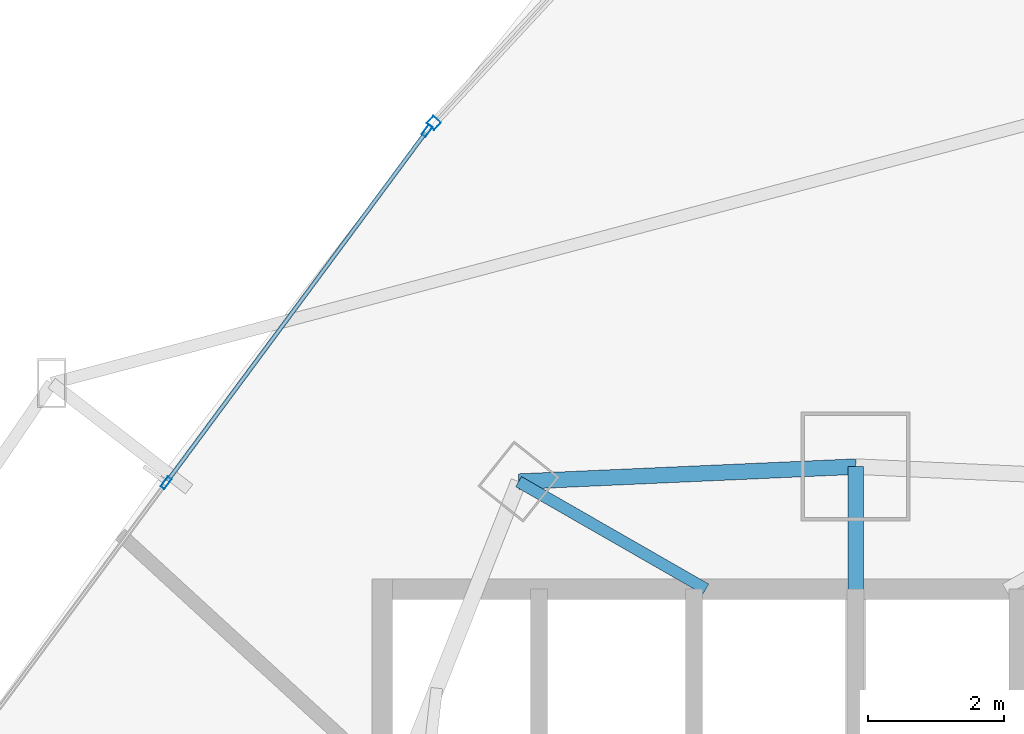
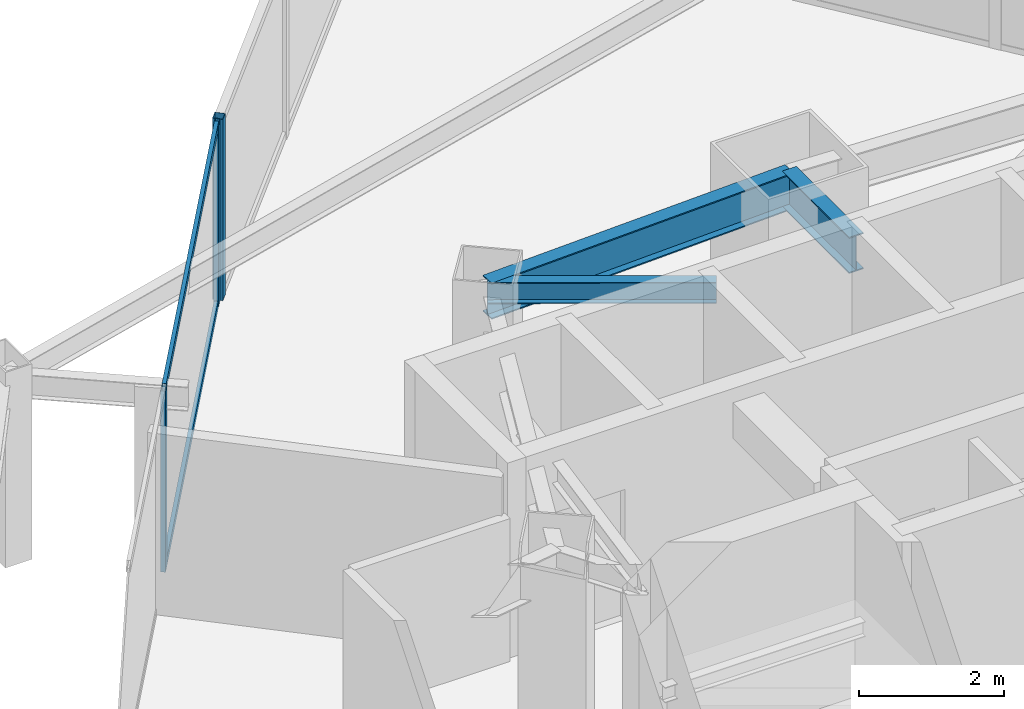
# One storey, part 23 of 35: 5 members, 3 beams, 2 elements without a shape of their own.
"""IFC4 building model written with IfcOpenShell, lengths in metres."""

from ifc_helpers import new_model, si_unit, direction, frame, origin, origin_2d, place, context, subcontext, project, spatial, hollow_rectangle, i_section, extrude, material, layer, layer_set, material_profile, profile_set, type_object, element, aggregate, save


model = new_model("IFC4")

# Units and contexts
model_context = context("Model", 3, precision=1e-05, world=origin(), true_north=direction((0.0, 1.0)))
body_context = subcontext(model_context, "Body", "Model", "MODEL_VIEW")
ifc_project = project(units=[si_unit("LENGTHUNIT", "METRE"), si_unit("AREAUNIT", "SQUARE_METRE"), si_unit("VOLUMEUNIT", "CUBIC_METRE"), si_unit("PLANEANGLEUNIT", "RADIAN"), si_unit("MASSUNIT", "GRAM", prefix="KILO")], contexts=[model_context])

# Site, building, storey
site_placement = place(None, origin())
site = spatial("IfcSite", under=ifc_project, at=site_placement, CompositionType="ELEMENT")
building_placement = place(site_placement, origin())
building = spatial("IfcBuilding", under=site, at=building_placement, Name="Orvanel Arch Residences", CompositionType="ELEMENT")
storey_placement = place(building_placement, frame((0.0, 0.0, 36.800048828125)))
storey = spatial("IfcBuildingStorey", under=building, at=storey_placement, Name="L09", CompositionType="ELEMENT", Elevation=36.800048828125)

# Beams
ifc_material_1 = material(Name="Structural steel AS/NZS 3679.1 Grade 300 (300 MPa)", Category="steel")
ifc_material_profile_1 = material_profile(ifc_material_1, i_section(OverallWidth=0.22900390625, OverallDepth=0.612060546875, WebThickness=0.011962890625, FlangeThickness=0.01953125, at=origin_2d()), Name="610UB125")
ifc_profile_set_1 = profile_set([ifc_material_profile_1], Name="Structural steel AS/NZS 3679.1 Grade 300 (300 MPa)")
beam_type_1 = type_object("IfcBeamType", Name="BG-610UB", PredefinedType="BEAM", material=ifc_profile_set_1)
beam_1_placement = place(storey_placement, frame((33.0, 39.550048828125, 2.75390625), z_axis=(0.0, 1.0, 0.0), x_axis=(-1.0, 0.0, 0.0)))
element("IfcBeam", 1, at=beam_1_placement, inside=storey, type_object=beam_type_1, Name="L09 North Radial Girder", PredefinedType="BEAM", context=body_context, shape_type="SweptSolid", body=[
    extrude(i_section(OverallWidth=0.22900390625, OverallDepth=0.612060546875, WebThickness=0.011962890625, FlangeThickness=0.01953125, at=origin_2d()), origin(), (0.0, 0.0, 1.0), 1.847900390625),
])
ifc_material_profile_2 = material_profile(ifc_material_1, i_section(OverallWidth=0.1708984375, OverallDepth=0.35595703125, WebThickness=0.00732421875, FlangeThickness=0.011474609375, at=origin_2d()), Name="360UB50.7")
ifc_profile_set_2 = profile_set([ifc_material_profile_2], Name="Structural steel AS/NZS 3679.1 Grade 300 (300 MPa)")
beam_type_2 = type_object("IfcBeamType", Name="BJ-360UB", PredefinedType="JOIST", material=ifc_profile_set_2)
beam_2_placement = place(storey_placement, frame((30.800048828125, 39.60009765625, 2.8818359375), z_axis=(-0.86736513383, 0.497672306458, 0.0), x_axis=(-0.497672306458, -0.86736513383, 0.0)))
element("IfcBeam", 2, at=beam_2_placement, inside=storey, type_object=beam_type_2, Name="L09 MNW Wing Floor Joist", PredefinedType="JOIST", context=body_context, shape_type="SweptSolid", body=[
    extrude(i_section(OverallWidth=0.1708984375, OverallDepth=0.35595703125, WebThickness=0.00732421875, FlangeThickness=0.011474609375, at=origin_2d()), origin(), (0.0, 0.0, 1.0), 3.17041015625),
])

# Curtain wall, member
ifc_material_2 = material(Name="Bronze-anodised aluminium AA6063-T6", Category="aluminium")
ifc_layer_1 = layer(ifc_material_2, 0.18994140625)
ifc_layer_set_1 = layer_set([ifc_layer_1], Name="Bronze-anodised aluminium AA6063-T6")
curtain_wall_type_1 = type_object("IfcCurtainWallType", Name="CW5-CRN-SYS", PredefinedType="NOTDEFINED", material=ifc_layer_set_1)
curtain_wall_1_placement = place(storey_placement, origin())
curtain_wall_1 = element("IfcCurtainWall", 3, at=curtain_wall_1_placement, inside=storey, type_object=curtain_wall_type_1, Name="L09 CW5-CRN-SYS Unitised Curtain Wall", PredefinedType="NOTDEFINED")
ifc_material_profile_3 = material_profile(ifc_material_2, hollow_rectangle(XDim=0.14990234375, YDim=0.14990234375, WallThickness=0.0048828125, at=origin_2d()), Name="ALU150x150x5")
ifc_profile_set_3 = profile_set([ifc_material_profile_3], Name="Bronze-anodised aluminium AA6063-T6")
member_type_1 = type_object("IfcMemberType", Name="MUL-150x150", PredefinedType="MULLION", material=ifc_profile_set_3)
member_1_placement = place(storey_placement, frame((26.803955078125, 46.446044921875, 0.0), z_axis=(0.0, 0.0, 1.0), x_axis=(0.734004180621, -0.679144949794, 0.0)))
member_1 = element("IfcMember", 4, at=member_1_placement, type_object=member_type_1, Name="CW-S5 mullion 3", PredefinedType="MULLION", context=body_context, shape_type="SweptSolid", body=[
    extrude(hollow_rectangle(XDim=0.14990234375, YDim=0.14990234375, WallThickness=0.0048828125, at=origin_2d()), origin(), (0.0, 0.0, 1.0), 3.06005859375),
])
aggregate(curtain_wall_1, [member_1])

# Curtain wall, members
ifc_layer_2 = layer(ifc_material_2, 0.179931640625)
ifc_layer_set_2 = layer_set([ifc_layer_2], Name="Bronze-anodised aluminium AA6063-T6")
curtain_wall_type_2 = type_object("IfcCurtainWallType", Name="CW2-LOW-SYS", PredefinedType="NOTDEFINED", material=ifc_layer_set_2)
curtain_wall_2_placement = place(storey_placement, origin())
curtain_wall_2 = element("IfcCurtainWall", 5, at=curtain_wall_2_placement, inside=storey, type_object=curtain_wall_type_2, Name="L09 CW2-LOW-SYS Unitised Curtain Wall", PredefinedType="NOTDEFINED")
ifc_material_profile_4 = material_profile(ifc_material_2, hollow_rectangle(XDim=0.070068359375, YDim=0.179931640625, WallThickness=0.00439453125, at=origin_2d()), Name="ALU180x70x4.5")
ifc_profile_set_4 = profile_set([ifc_material_profile_4], Name="Bronze-anodised aluminium AA6063-T6")
member_type_2 = type_object("IfcMemberType", Name="MUL-180x70", PredefinedType="MULLION", material=ifc_profile_set_4)
member_2_placement = place(storey_placement, frame((26.7060546875, 46.331787109375, 0.0), z_axis=(0.0, 0.0, 1.0), x_axis=(0.803472332546, -0.595342095633, 0.0)))
member_2 = element("IfcMember", 6, at=member_2_placement, type_object=member_type_2, Name="CW-S2 mullion 1", PredefinedType="MULLION", context=body_context, shape_type="SweptSolid", body=[
    extrude(hollow_rectangle(XDim=0.070068359375, YDim=0.179931640625, WallThickness=0.00439453125, at=origin_2d()), origin(), (0.0, 0.0, 1.0), 3.06005859375),
])
member_3_placement = place(storey_placement, frame((22.8740234375, 41.159912109375, 0.0), z_axis=(0.0, 0.0, 1.0), x_axis=(0.803472332546, -0.595342095633, 0.0)))
member_3 = element("IfcMember", 7, at=member_3_placement, type_object=member_type_2, Name="CW-S2 mullion 2", PredefinedType="MULLION", context=body_context, shape_type="SweptSolid", body=[
    extrude(hollow_rectangle(XDim=0.070068359375, YDim=0.179931640625, WallThickness=0.00439453125, at=origin_2d()), origin(), (0.0, 0.0, 1.0), 3.06005859375),
])

# Beam
ifc_material_profile_5 = material_profile(ifc_material_1, i_section(OverallWidth=0.22900390625, OverallDepth=0.612060546875, WebThickness=0.011962890625, FlangeThickness=0.01953125, at=origin_2d()), Name="610UB125")
ifc_profile_set_5 = profile_set([ifc_material_profile_5], Name="Structural steel AS/NZS 3679.1 Grade 300 (300 MPa)")
beam_type_3 = type_object("IfcBeamType", Name="SP-610UB", PredefinedType="SPANDREL", material=ifc_profile_set_5)
beam_3_placement = place(storey_placement, frame((33.0, 41.39794921875, 2.75390625), z_axis=(-0.999014049296, -0.044395149614, 0.0), x_axis=(0.044395149614, -0.999014049296, 0.0)))
element("IfcBeam", 8, at=beam_3_placement, inside=storey, type_object=beam_type_3, Name="L09 Perimeter Spandrel Beam 17", PredefinedType="SPANDREL", context=body_context, shape_type="SweptSolid", body=[
    extrude(i_section(OverallWidth=0.22900390625, OverallDepth=0.612060546875, WebThickness=0.011962890625, FlangeThickness=0.01953125, at=origin_2d()), origin(), (0.0, 0.0, 1.0), 4.954833984375),
])

# Member
ifc_material_profile_6 = material_profile(ifc_material_2, hollow_rectangle(XDim=0.06005859375, YDim=0.135009765625, WallThickness=0.00390625, at=origin_2d()), Name="ALU135x60x4")
ifc_profile_set_6 = profile_set([ifc_material_profile_6], Name="Bronze-anodised aluminium AA6063-T6")
member_type_3 = type_object("IfcMemberType", Name="TRN-135x60", PredefinedType="USERDEFINED", material=ifc_profile_set_6)
member_4_placement = place(storey_placement, frame((26.685302734375, 46.3037109375, 0.030029296875), z_axis=(-0.595357762484, -0.803460723775, 0.0), x_axis=(0.803460723775, -0.595357762484, 0.0)))
member_4 = element("IfcMember", 9, at=member_4_placement, type_object=member_type_3, Name="CW-S2 transom 1.1", ObjectType="TRANSOM", PredefinedType="USERDEFINED", context=body_context, shape_type="SweptSolid", body=[
    extrude(hollow_rectangle(XDim=0.06005859375, YDim=0.135009765625, WallThickness=0.00390625, at=origin_2d()), origin(), (0.0, 0.0, 1.0), 6.36669921875),
])

member_5_placement = place(storey_placement, frame((26.685302734375, 46.3037109375, 3.030029296875), z_axis=(-0.595357762484, -0.803460723775, 0.0), x_axis=(0.803460723775, -0.595357762484, 0.0)))
member_5 = element("IfcMember", 10, at=member_5_placement, type_object=member_type_3, Name="CW-S2 transom 1.2", ObjectType="TRANSOM", PredefinedType="USERDEFINED", context=body_context, shape_type="SweptSolid", body=[
    extrude(hollow_rectangle(XDim=0.06005859375, YDim=0.135009765625, WallThickness=0.00390625, at=origin_2d()), origin(), (0.0, 0.0, 1.0), 6.36669921875),
])

aggregate(curtain_wall_2, [member_2, member_3, member_4, member_5])

save(model, "model.ifc")
